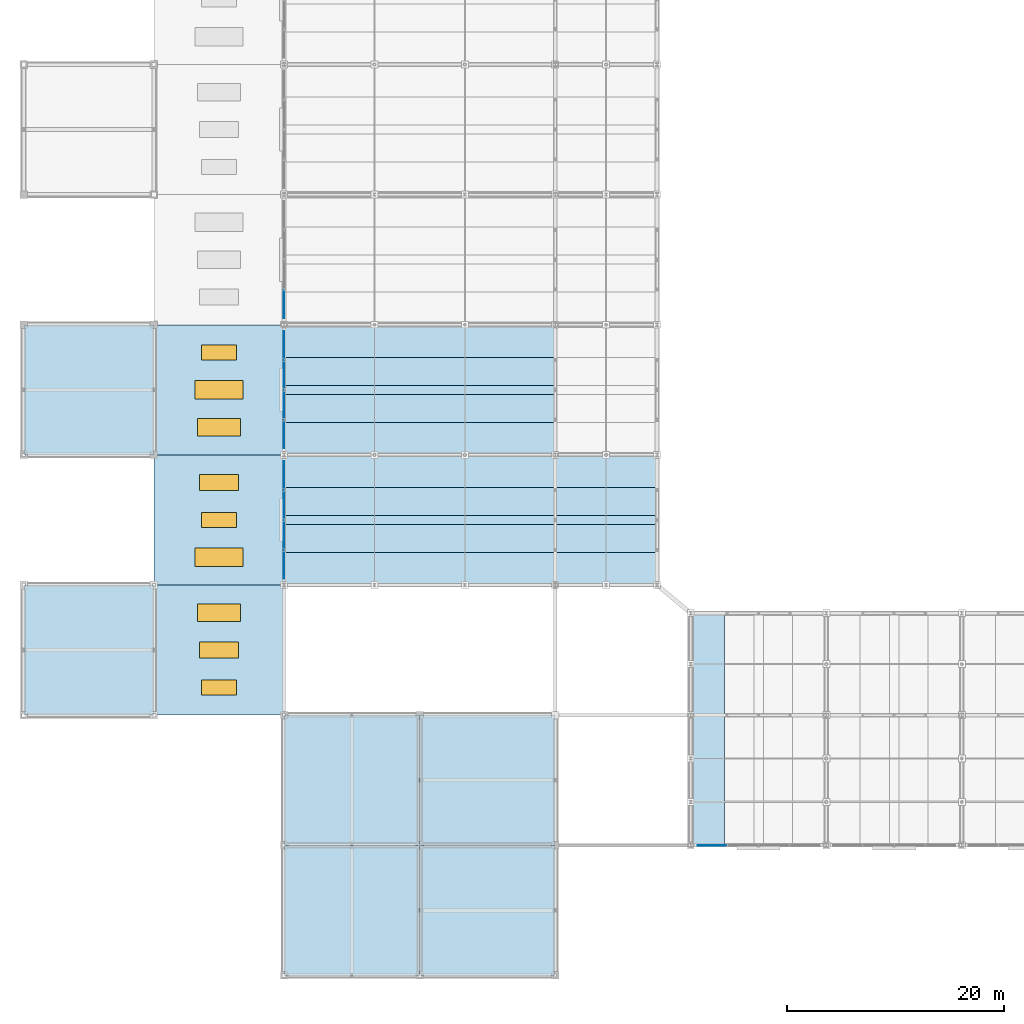
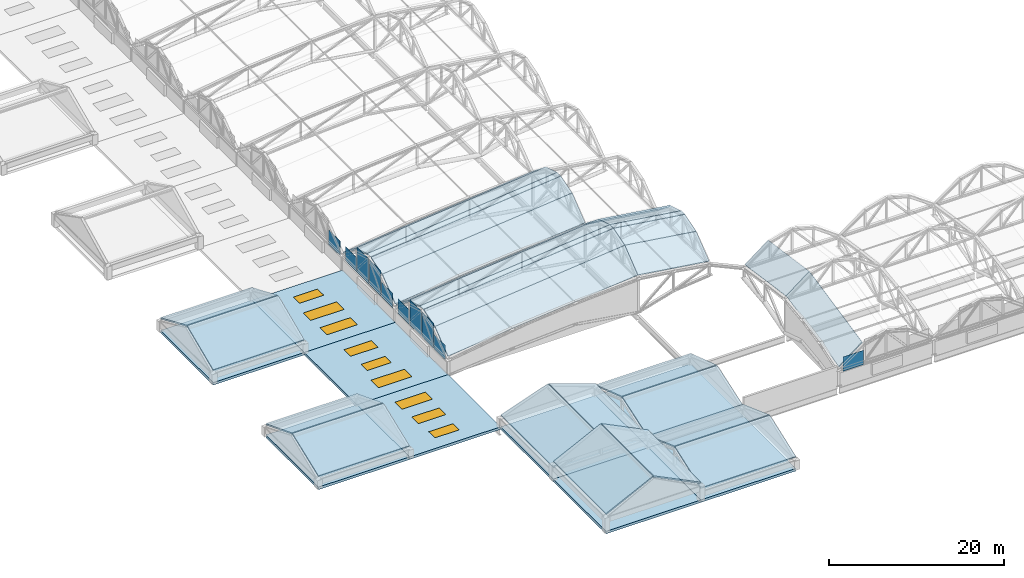
"""IFC4 building model written with IfcOpenShell, lengths in metres."""

from ifc_helpers import new_model, si_unit, direction, frame, origin, origin_2d, place, context, subcontext, project, spatial, polyline, rectangle, outline, extrude, material, layer, layer_set, type_object, element, fill, save


model = new_model("IFC4")

# Units and contexts
model_context = context("Model", 3, precision=1e-05, world=origin(), true_north=direction((0.0, 1.0)))
body_context = subcontext(model_context, "Body", "Model", "MODEL_VIEW")
ifc_project = project(units=[si_unit("LENGTHUNIT", "METRE"), si_unit("AREAUNIT", "SQUARE_METRE"), si_unit("VOLUMEUNIT", "CUBIC_METRE"), si_unit("PLANEANGLEUNIT", "RADIAN"), si_unit("MASSUNIT", "GRAM", prefix="KILO")], contexts=[model_context])

# Site, building, storey
site_placement = place(None, origin())
site = spatial("IfcSite", under=ifc_project, at=site_placement, CompositionType="ELEMENT")
building_placement = place(site_placement, origin())
building = spatial("IfcBuilding", under=site, at=building_placement, Name="Kazenohara Klinker Stadium", CompositionType="ELEMENT")
storey_1_placement = place(building_placement, frame((0.0, 0.0, 31.199951171875)))
storey_1 = spatial("IfcBuildingStorey", under=building, at=storey_1_placement, Name="RF", CompositionType="ELEMENT", Elevation=31.199951171875)

# Plates
ifc_material_1 = material(Name="Low-e laminated triple glazing", Category="glass")
ifc_layer_1 = layer(ifc_material_1, 0.0439453125)
ifc_layer_set_1 = layer_set([ifc_layer_1], Name="Low-e laminated triple glazing")
plate_type_1 = type_object("IfcPlateType", Name="PLT-GLZ-CLER", PredefinedType="USERDEFINED", material=ifc_layer_set_1)
plate_1_placement = place(storey_1_placement, frame((24.0, 49.889892578125, 1.650146484375), z_axis=(0.0, 0.0, 1.0), x_axis=(1.0, 0.0, 0.0)))
element("IfcPlate", 1, at=plate_1_placement, inside=storey_1, type_object=plate_type_1, Name="Arched barrel clerestory glazing panel CP02 W-01-Q1", ObjectType="CLERESTORY GLAZING", PredefinedType="USERDEFINED", context=body_context, shape_type="SweptSolid", body=[
    extrude(rectangle(XDim=0.0439453125, YDim=2.580078125, at=origin_2d()), origin(), (0.0, 0.0, 1.0), 2.0),
])
for number, where, z_axis, x_axis, name in (
    (2, (24.0, 52.6201171875, 1.650146484375), (0.0, 0.0, 1.0), (1.0, 0.0, 0.0), "Arched barrel clerestory glazing panel CP02 W-01-Q2"),
    (3, (24.0, 55.3798828125, 1.650146484375), (0.0, 0.0, 1.0), (1.0, 0.0, 0.0), "Arched barrel clerestory glazing panel CP02 W-01-Q3"),
):
    element("IfcPlate", number, at=place(storey_1_placement, frame(where, z_axis=z_axis, x_axis=x_axis)), inside=storey_1, type_object=plate_type_1, Name=name, ObjectType="CLERESTORY GLAZING", PredefinedType="USERDEFINED", context=body_context, shape_type="SweptSolid", body=[
        extrude(rectangle(XDim=0.0439453125, YDim=2.639892578125, at=origin_2d()), origin(), (0.0, 0.0, 1.0), 3.5),
    ])
for number, where, z_axis, x_axis, name in (
    (4, (24.0, 58.110107421875, 1.650146484375), (0.0, 0.0, 1.0), (1.0, 0.0, 0.0), "Arched barrel clerestory glazing panel CP02 W-01-Q4"),
    (5, (24.0, 61.889892578125, 1.650146484375), (0.0, 0.0, 1.0), (1.0, 0.0, 0.0), "Arched barrel clerestory glazing panel CP02 W-02-Q1"),
):
    element("IfcPlate", number, at=place(storey_1_placement, frame(where, z_axis=z_axis, x_axis=x_axis)), inside=storey_1, type_object=plate_type_1, Name=name, ObjectType="CLERESTORY GLAZING", PredefinedType="USERDEFINED", context=body_context, shape_type="SweptSolid", body=[
        extrude(rectangle(XDim=0.0439453125, YDim=2.580078125, at=origin_2d()), origin(), (0.0, 0.0, 1.0), 2.0),
    ])
for number, where, z_axis, x_axis, name in (
    (6, (24.0, 64.6201171875, 1.650146484375), (0.0, 0.0, 1.0), (1.0, 0.0, 0.0), "Arched barrel clerestory glazing panel CP02 W-02-Q2"),
    (7, (24.0, 67.3798828125, 1.650146484375), (0.0, 0.0, 1.0), (1.0, 0.0, 0.0), "Arched barrel clerestory glazing panel CP02 W-02-Q3"),
):
    element("IfcPlate", number, at=place(storey_1_placement, frame(where, z_axis=z_axis, x_axis=x_axis)), inside=storey_1, type_object=plate_type_1, Name=name, ObjectType="CLERESTORY GLAZING", PredefinedType="USERDEFINED", context=body_context, shape_type="SweptSolid", body=[
        extrude(rectangle(XDim=0.0439453125, YDim=2.639892578125, at=origin_2d()), origin(), (0.0, 0.0, 1.0), 3.5),
    ])
for number, where, z_axis, x_axis, name in (
    (8, (24.0, 70.110107421875, 1.650146484375), (0.0, 0.0, 1.0), (1.0, 0.0, 0.0), "Arched barrel clerestory glazing panel CP02 W-02-Q4"),
    (9, (24.0, 73.889892578125, 1.650146484375), (0.0, 0.0, 1.0), (1.0, 0.0, 0.0), "Arched barrel clerestory glazing panel CP02 W-03-Q1"),
):
    element("IfcPlate", number, at=place(storey_1_placement, frame(where, z_axis=z_axis, x_axis=x_axis)), inside=storey_1, type_object=plate_type_1, Name=name, ObjectType="CLERESTORY GLAZING", PredefinedType="USERDEFINED", context=body_context, shape_type="SweptSolid", body=[
        extrude(rectangle(XDim=0.0439453125, YDim=2.580078125, at=origin_2d()), origin(), (0.0, 0.0, 1.0), 2.0),
    ])
plate_2_placement = place(storey_1_placement, frame((63.46875, 24.0, 1.650146484375), z_axis=(0.0, 0.0, 1.0), x_axis=(1.0, 0.0, 0.0)))
element("IfcPlate", 10, at=plate_2_placement, inside=storey_1, type_object=plate_type_1, Name="Arched barrel clerestory glazing panel CP02 S-01-Q1", ObjectType="CLERESTORY GLAZING", PredefinedType="USERDEFINED", context=body_context, shape_type="SweptSolid", body=[
    extrude(rectangle(XDim=2.6875, YDim=0.0439453125, at=origin_2d()), origin(), (0.0, 0.0, 1.0), 2.0),
])
ifc_material_2 = material(Name="Low-e laminated skylight triple glazing", Category="glass")
ifc_layer_2 = layer(ifc_material_2, 0.048095703125)
ifc_layer_set_2 = layer_set([ifc_layer_2], Name="Low-e laminated skylight triple glazing")
plate_type_2 = type_object("IfcPlateType", Name="PLT-GLZ-VALLEY", PredefinedType="USERDEFINED", material=ifc_layer_set_2)
plate_3_placement = place(storey_1_placement, frame((24.0, 53.580078125, 5.670166015625), z_axis=(-0.101465808577, 0.0, 0.994839027024), x_axis=(0.994839027024, 0.0, 0.101465808577)))
element("IfcPlate", 11, at=plate_3_placement, inside=storey_1, type_object=plate_type_2, Name="Barrel-shell valley skylight glazing joint SKG1 W-01-OUT", ObjectType="SKYLIGHT GLAZING", PredefinedType="USERDEFINED", context=body_context, shape_type="SweptSolid", body=[
    extrude(outline(polyline([(0.0, 0.0), (25.129693669927555, 0.0), (25.129693669927555, 0.8398437499999999), (0.0, 0.8398437499999999), (0.0, 0.0)])), origin(), (0.0, 0.0, -1.0), 0.048095703125),
])
plate_4_placement = place(storey_1_placement, frame((49.0, 53.580078125, 8.219970703125), z_axis=(0.142144768244, 0.0, 0.989845879347), x_axis=(0.989845879347, 0.0, -0.142144768244)))
element("IfcPlate", 12, at=plate_4_placement, inside=storey_1, type_object=plate_type_2, Name="Barrel-shell valley skylight glazing joint SKG1 W-01-IN", ObjectType="SKYLIGHT GLAZING", PredefinedType="USERDEFINED", context=body_context, shape_type="SweptSolid", body=[
    extrude(outline(polyline([(0.0, 0.0), (9.496329216369972, 0.0), (9.496329216369972, 0.83984375), (0.0, 0.83984375), (0.0, 0.0)])), origin(), (0.0, 0.0, -1.0), 0.048095703125),
])
plate_5_placement = place(storey_1_placement, frame((24.0, 65.580078125, 5.670166015625), z_axis=(-0.101465808577, 0.0, 0.994839027024), x_axis=(0.994839027024, 0.0, 0.101465808577)))
element("IfcPlate", 13, at=plate_5_placement, inside=storey_1, type_object=plate_type_2, Name="Barrel-shell valley skylight glazing joint SKG1 W-02-OUT", ObjectType="SKYLIGHT GLAZING", PredefinedType="USERDEFINED", context=body_context, shape_type="SweptSolid", body=[
    extrude(outline(polyline([(0.0, 0.0), (25.129693669927555, 0.0), (25.129693669927555, 0.8398437499999999), (0.0, 0.8398437499999999), (0.0, 0.0)])), origin(), (0.0, 0.0, -1.0), 0.048095703125),
])

# Slabs
ifc_material_3 = material(Name="Steel S355", Category="steel")
ifc_layer_3 = layer(ifc_material_3, 0.18994140625)
ifc_layer_set_3 = layer_set([ifc_layer_3], Name="Steel S355")
slab_type_1 = type_object("IfcSlabType", Name="SLB-ROOF-190", PredefinedType="ROOF", material=ifc_layer_set_3)
for number, where, z_axis, x_axis, name in (
    (14, (24.0, 12.0, 2.469970703125), (-0.441703727171, 0.0, 0.897160976304), (0.897160976304, 0.0, 0.441703727171), "Pitched turret crown roof slab RS03 GT2-SW-A"),
    (15, (30.304931640625, 12.0, 5.52001953125), (0.441703727171, 0.0, 0.897160976304), (0.897160976304, 0.0, -0.441703727171), "Pitched turret crown roof slab RS03 GT2-SW-B"),
):
    element("IfcSlab", number, at=place(storey_1_placement, frame(where, z_axis=z_axis, x_axis=x_axis)), inside=storey_1, type_object=slab_type_1, Name=name, PredefinedType="ROOF", context=body_context, shape_type="SweptSolid", body=[
        extrude(outline(polyline([(0.0, 0.0), (6.905191513004975, 0.0), (6.905191513004975, 12.0), (0.0, 12.0), (0.0, 0.0)])), origin(), (0.0, 0.0, -1.0), 0.18994140625),
    ])
for number, where, z_axis, x_axis, name in (
    (16, (36.5, 12.0, 1.670166015625), (0.0, -0.340074319183, 0.940398563074), (1.0, 0.0, 0.0), "Pitched turret crown roof slab RS03 GT2-SE-A"),
    (17, (36.5, 18.054931640625, 3.820068359375), (0.0, 0.340074319183, 0.940398563074), (1.0, 0.0, 0.0), "Pitched turret crown roof slab RS03 GT2-SE-B"),
):
    element("IfcSlab", number, at=place(storey_1_placement, frame(where, z_axis=z_axis, x_axis=x_axis)), inside=storey_1, type_object=slab_type_1, Name=name, PredefinedType="ROOF", context=body_context, shape_type="SweptSolid", body=[
        extrude(outline(polyline([(0.0, 0.0), (12.5, 0.0), (12.5, 6.321860318395489), (0.0, 6.321860318395489), (0.0, 0.0)])), origin(), (0.0, 0.0, -1.0), 0.18994140625),
    ])
for number, where, z_axis, x_axis, name in (
    (18, (24.0, 24.0, 1.670166015625), (-0.327853404288, 0.0, 0.944728609335), (0.944728609335, 0.0, 0.327853404288), "Pitched turret crown roof slab RS03 GT2-NW-A"),
    (19, (30.304931640625, 24.0, 3.820068359375), (0.327853404288, 0.0, 0.944728609335), (0.944728609335, 0.0, -0.327853404288), "Pitched turret crown roof slab RS03 GT2-NW-B"),
):
    element("IfcSlab", number, at=place(storey_1_placement, frame(where, z_axis=z_axis, x_axis=x_axis)), inside=storey_1, type_object=slab_type_1, Name=name, PredefinedType="ROOF", context=body_context, shape_type="SweptSolid", body=[
        extrude(outline(polyline([(0.0, 0.0), (6.557511118175173, 0.0), (6.557511118175173, 12.0), (0.0, 12.0), (0.0, 0.0)])), origin(), (0.0, 0.0, -1.0), 0.18994140625),
    ])
for number, where, z_axis, x_axis, name in (
    (20, (36.5, 24.0, 1.469970703125), (0.0, -0.31885382794, 0.947803901874), (1.0, 0.0, 0.0), "Pitched turret crown roof slab RS03 GT2-NE-A"),
    (21, (36.5, 30.054931640625, 3.469970703125), (0.0, 0.31885382794, 0.947803901874), (1.0, 0.0, 0.0), "Pitched turret crown roof slab RS03 GT2-NE-B"),
):
    element("IfcSlab", number, at=place(storey_1_placement, frame(where, z_axis=z_axis, x_axis=x_axis)), inside=storey_1, type_object=slab_type_1, Name=name, PredefinedType="ROOF", context=body_context, shape_type="SweptSolid", body=[
        extrude(outline(polyline([(0.0, 0.0), (12.5, 0.0), (12.5, 6.272466643804632), (0.0, 6.272466643804632), (0.0, 0.0)])), origin(), (0.0, 0.0, -1.0), 0.18994140625),
    ])
for number, where, z_axis, x_axis, name in (
    (22, (0.0, 36.0, 1.570068359375), (0.0, -0.360821106656, 0.932635045981), (1.0, 0.0, 0.0), "Pitched turret crown roof slab RS03 WBST-03-A"),
    (23, (0.0, 42.054931640625, 3.8701171875), (0.0, 0.360821106656, 0.932635045981), (1.0, 0.0, 0.0), "Pitched turret crown roof slab RS03 WBST-03-B"),
):
    element("IfcSlab", number, at=place(storey_1_placement, frame(where, z_axis=z_axis, x_axis=x_axis)), inside=storey_1, type_object=slab_type_1, Name=name, PredefinedType="ROOF", context=body_context, shape_type="SweptSolid", body=[
        extrude(outline(polyline([(0.0, 0.0), (12.0, 0.0), (12.0, 6.37448526623138), (0.0, 6.37448526623138), (0.0, 0.0)])), origin(), (0.0, 0.0, -1.0), 0.18994140625),
    ])
for number, where, z_axis, x_axis, name in (
    (24, (0.0, 60.0, 1.77001953125), (0.0, -0.394201684587, 0.919023956091), (1.0, 0.0, 0.0), "Pitched turret crown roof slab RS03 WBST-05-A"),
    (25, (0.0, 66.054931640625, 4.320068359375), (0.0, 0.394201684587, 0.919023956091), (1.0, 0.0, 0.0), "Pitched turret crown roof slab RS03 WBST-05-B"),
):
    element("IfcSlab", number, at=place(storey_1_placement, frame(where, z_axis=z_axis, x_axis=x_axis)), inside=storey_1, type_object=slab_type_1, Name=name, PredefinedType="ROOF", context=body_context, shape_type="SweptSolid", body=[
        extrude(outline(polyline([(0.0, 0.0), (12.0, 0.0), (12.0, 6.468893786688991), (0.0, 6.468893786688991), (0.0, 0.0)])), origin(), (0.0, 0.0, -1.0), 0.18994140625),
    ])
slab_1_placement = place(storey_1_placement, frame((24.0, 48.06005859375, 2.51806640625), z_axis=(-0.079397405078, -0.622738677702, 0.778391027287), x_axis=(0.994838046303, 0.0, 0.101475423766)))
element("IfcSlab", 26, at=slab_1_placement, inside=storey_1, type_object=slab_type_1, Name="Scalloped barrel-arch canopy slab W-01 outer strip 1", PredefinedType="ROOF", context=body_context, shape_type="SweptSolid", body=[
    extrude(outline(polyline([(0.0, 0.0), (25.129718443027205, 0.0), (25.368393792773563, 3.757450256115897), (0.2386753497463593, 3.757450256115897), (0.0, 0.0)])), origin(), (0.0, 0.0, -1.0), 0.18994140625),
])
slab_2_placement = place(storey_1_placement, frame((49.0, 48.06005859375, 5.068115234375), z_axis=(0.111454741468, -0.620818608848, 0.775991040871), x_axis=(0.989842261755, 0.0, -0.1421699576)))
element("IfcSlab", 27, at=slab_2_placement, inside=storey_1, type_object=slab_type_1, Name="Scalloped barrel-arch canopy slab W-01 inner strip 1", PredefinedType="ROOF", context=body_context, shape_type="SweptSolid", body=[
    extrude(outline(polyline([(0.0, 0.0), (9.496363922757409, 0.0), (9.16197296291469, 3.750144135328325), (-0.33439095984271777, 3.750144135328325), (0.0, 0.0)])), origin(), (0.0, 0.0, -1.0), 0.18994140625),
])
slab_3_placement = place(storey_1_placement, frame((24.0, 51.0, 4.8701171875), z_axis=(-0.097078068979, -0.291039160051, 0.951773111535), x_axis=(0.994838495138, 1.345573e-06, 0.101471023396)))
element("IfcSlab", 28, at=slab_3_placement, inside=storey_1, type_object=slab_type_1, Name="Scalloped barrel-arch canopy slab W-01 outer strip 2", PredefinedType="ROOF", context=body_context, shape_type="SweptSolid", body=[
    extrude(outline(polyline([(0.0, 0.0), (25.129718442758627, 0.0), (25.210878962890696, 2.7342974924050907), (0.08118529333114288, 2.734368180107577), (0.0, 0.0)])), origin(), (0.0, 0.0, -1.0), 0.18994140625),
])
slab_4_placement = place(storey_1_placement, frame((49.0, 51.0, 7.420166015625), z_axis=(0.136061259308, -0.289700944037, 0.947396800047), x_axis=(0.989843918815, -3.528048e-06, -0.142158419982)))
element("IfcSlab", 29, at=slab_4_placement, inside=storey_1, type_object=slab_type_1, Name="Scalloped barrel-arch canopy slab W-01 inner strip 2", PredefinedType="ROOF", context=body_context, shape_type="SweptSolid", body=[
    extrude(outline(polyline([(0.0, 0.0), (9.49636392205321, 0.0), (9.382621015480932, 2.733207446859171), (-0.11370819992677195, 2.733137437523795), (0.0, 0.0)])), origin(), (0.0, 0.0, -1.0), 0.18994140625),
])
slab_5_placement = place(storey_1_placement, frame((24.0, 54.384033203125, 5.670166015625), z_axis=(-0.097078068979, 0.291039160051, 0.951773111535), x_axis=(0.994838578209, 1.345574e-06, 0.101470208953)))
element("IfcSlab", 30, at=slab_5_placement, inside=storey_1, type_object=slab_type_1, Name="Scalloped barrel-arch canopy slab W-01 outer strip 3", PredefinedType="ROOF", context=body_context, shape_type="SweptSolid", body=[
    extrude(outline(polyline([(0.0, 0.0), (25.12969366965898, -1.1102230246251565e-16), (25.04854084087477, 2.734297720691951), (-0.08117760178444054, 2.734368408464122), (0.0, 0.0)])), origin(), (0.0, 0.0, -1.0), 0.18994140625),
])
slab_6_placement = place(storey_1_placement, frame((49.0, 54.384033203125, 8.219970703125), z_axis=(0.136061259308, 0.289700944037, 0.947396800047), x_axis=(0.989844222428, -3.528061e-06, -0.142156305924)))
element("IfcSlab", 31, at=slab_6_placement, inside=storey_1, type_object=slab_type_1, Name="Scalloped barrel-arch canopy slab W-01 inner strip 3", PredefinedType="ROOF", context=body_context, shape_type="SweptSolid", body=[
    extrude(outline(polyline([(0.0, 0.0), (9.496329215665769, 1.1102230246251565e-16), (9.61005197233993, 2.7332082853263064), (0.11368805054478547, 2.7331382757350666), (0.0, 0.0)])), origin(), (0.0, 0.0, -1.0), 0.18994140625),
])
slab_7_placement = place(storey_1_placement, frame((24.0, 57.0, 4.8701171875), z_axis=(-0.079397405078, 0.622738677702, 0.778391027287), x_axis=(0.994838046303, 0.0, 0.101475423766)))
element("IfcSlab", 32, at=slab_7_placement, inside=storey_1, type_object=slab_type_1, Name="Scalloped barrel-arch canopy slab W-01 outer strip 4", PredefinedType="ROOF", context=body_context, shape_type="SweptSolid", body=[
    extrude(outline(polyline([(0.0, 0.0), (25.129718443027205, 0.0), (24.891043093280846, 3.7574502561158964), (-0.2386753497463593, 3.757450256115897), (0.0, 0.0)])), origin(), (0.0, 0.0, -1.0), 0.18994140625),
])
slab_8_placement = place(storey_1_placement, frame((49.0, 57.0, 7.420166015625), z_axis=(0.111454741468, 0.620818608848, 0.775991040871), x_axis=(0.989842261755, 0.0, -0.1421699576)))
element("IfcSlab", 33, at=slab_8_placement, inside=storey_1, type_object=slab_type_1, Name="Scalloped barrel-arch canopy slab W-01 inner strip 4", PredefinedType="ROOF", context=body_context, shape_type="SweptSolid", body=[
    extrude(outline(polyline([(0.0, 0.0), (9.496363922757409, 0.0), (9.830754882600127, 3.750144135328325), (0.33439095984271777, 3.750144135328325), (0.0, 0.0)])), origin(), (0.0, 0.0, -1.0), 0.18994140625),
])
slab_9_placement = place(storey_1_placement, frame((24.0, 60.06005859375, 2.51806640625), z_axis=(-0.079397405078, -0.622738677702, 0.778391027287), x_axis=(0.994838046303, 0.0, 0.101475423766)))
element("IfcSlab", 34, at=slab_9_placement, inside=storey_1, type_object=slab_type_1, Name="Scalloped barrel-arch canopy slab W-02 outer strip 1", PredefinedType="ROOF", context=body_context, shape_type="SweptSolid", body=[
    extrude(outline(polyline([(0.0, 0.0), (25.129718443027205, 0.0), (25.368393792773563, 3.757450256115897), (0.2386753497463593, 3.757450256115897), (0.0, 0.0)])), origin(), (0.0, 0.0, -1.0), 0.18994140625),
])
slab_10_placement = place(storey_1_placement, frame((24.0, 63.0, 4.8701171875), z_axis=(-0.097078068979, -0.291039160051, 0.951773111535), x_axis=(0.994838495138, 1.345573e-06, 0.101471023396)))
element("IfcSlab", 35, at=slab_10_placement, inside=storey_1, type_object=slab_type_1, Name="Scalloped barrel-arch canopy slab W-02 outer strip 2", PredefinedType="ROOF", context=body_context, shape_type="SweptSolid", body=[
    extrude(outline(polyline([(0.0, 0.0), (25.129718442758627, 0.0), (25.210878962890696, 2.7342974924050907), (0.08118529333114288, 2.734368180107577), (0.0, 0.0)])), origin(), (0.0, 0.0, -1.0), 0.18994140625),
])
slab_11_placement = place(storey_1_placement, frame((24.0, 66.384033203125, 5.670166015625), z_axis=(-0.097078068979, 0.291039160051, 0.951773111535), x_axis=(0.994838578209, 1.345574e-06, 0.101470208953)))
element("IfcSlab", 36, at=slab_11_placement, inside=storey_1, type_object=slab_type_1, Name="Scalloped barrel-arch canopy slab W-02 outer strip 3", PredefinedType="ROOF", context=body_context, shape_type="SweptSolid", body=[
    extrude(outline(polyline([(0.0, 0.0), (25.12969366965898, -1.1102230246251565e-16), (25.04854084087477, 2.734297720691951), (-0.08117760178444054, 2.734368408464122), (0.0, 0.0)])), origin(), (0.0, 0.0, -1.0), 0.18994140625),
])
slab_12_placement = place(storey_1_placement, frame((24.0, 69.0, 4.8701171875), z_axis=(-0.079397405078, 0.622738677702, 0.778391027287), x_axis=(0.994838046303, 0.0, 0.101475423766)))
element("IfcSlab", 37, at=slab_12_placement, inside=storey_1, type_object=slab_type_1, Name="Scalloped barrel-arch canopy slab W-02 outer strip 4", PredefinedType="ROOF", context=body_context, shape_type="SweptSolid", body=[
    extrude(outline(polyline([(0.0, 0.0), (25.129718443027205, 0.0), (24.891043093280846, 3.7574502561158964), (-0.2386753497463593, 3.757450256115897), (0.0, 0.0)])), origin(), (0.0, 0.0, -1.0), 0.18994140625),
])
slab_13_placement = place(storey_1_placement, frame((61.5625, 24.0, 2.51806640625), z_axis=(-0.600635128848, -0.166190954627, 0.782060105487), x_axis=(0.0, 0.978158041674, 0.207862563991)))
element("IfcSlab", 38, at=slab_13_placement, inside=storey_1, type_object=slab_type_1, Name="Scalloped barrel-arch canopy slab S-01 outer strip 1", PredefinedType="ROOF", context=body_context, shape_type="SweptSolid", body=[
    extrude(outline(polyline([(0.0, 0.0), (12.267956187801687, 0.0), (12.75685949382921, -3.8304076395253412), (0.48890330602752313, -3.8304076395253412), (0.0, 0.0)])), origin(), (0.0, 0.0, -1.0), 0.18994140625),
])
slab_14_placement = place(storey_1_placement, frame((61.5625, 36.0, 5.068115234375), z_axis=(-0.605191890352, 0.113178607114, 0.787993260595), x_axis=(0.0, 0.989842261755, -0.1421699576)))
element("IfcSlab", 39, at=slab_14_placement, inside=storey_1, type_object=slab_type_1, Name="Scalloped barrel-arch canopy slab S-01 inner strip 1", PredefinedType="ROOF", context=body_context, shape_type="SweptSolid", body=[
    extrude(outline(polyline([(0.0, 0.0), (9.496363922757409, -1.1102230246251565e-16), (9.16197296291469, -3.846976970759534), (-0.33439095984271777, -3.846976970759534), (0.0, 0.0)])), origin(), (0.0, 0.0, -1.0), 0.18994140625),
])
ifc_material_4 = material(Name="Concrete C40/50", Category="concrete")
ifc_layer_4 = layer(ifc_material_4, 0.360107421875)
ifc_layer_set_4 = layer_set([ifc_layer_4], Name="Concrete C40/50")
slab_type_2 = type_object("IfcSlabType", Name="SLB-ROOF-360", PredefinedType="ROOF", material=ifc_layer_set_4)
slab_15_placement = place(storey_1_placement, frame((0.0, 0.0, -0.35986328125)))
element("IfcSlab", 40, at=slab_15_placement, inside=storey_1, type_object=slab_type_2, Name="Main roof deck slab RS01 RF 1/D", PredefinedType="ROOF", context=body_context, shape_type="SweptSolid", body=[
    extrude(outline(polyline([(0.0, 36.0), (12.0, 36.0), (12.0, 48.0), (0.0, 48.0), (0.0, 36.0)])), origin(), (0.0, 0.0, 1.0), 0.35986328125),
])
slab_16_placement = place(storey_1_placement, frame((0.0, 0.0, -0.35986328125)))
element("IfcSlab", 41, at=slab_16_placement, inside=storey_1, type_object=slab_type_2, Name="Main roof deck slab RS01 RF 1/F", PredefinedType="ROOF", context=body_context, shape_type="SweptSolid", body=[
    extrude(outline(polyline([(0.0, 60.0), (12.0, 60.0), (12.0, 72.0), (0.0, 72.0), (0.0, 60.0)])), origin(), (0.0, 0.0, 1.0), 0.35986328125),
])

# Slab, openings
slab_17_placement = place(storey_1_placement, frame((0.0, 0.0, -0.35986328125)))
slab_17 = element("IfcSlab", 42, at=slab_17_placement, inside=storey_1, type_object=slab_type_2, Name="Main roof deck slab RS01 RF 2/D", PredefinedType="ROOF", context=body_context, shape_type="SweptSolid", body=[
    extrude(outline(polyline([(12.0, 36.0), (24.0, 36.0), (24.0, 48.0), (12.0, 48.0), (12.0, 36.0)])), origin(), (0.0, 0.0, 1.0), 0.35986328125),
])
opening_1_placement = place(slab_17_placement, frame((18.0, 38.550048828125, 0.0)))
opening_1 = element("IfcOpeningElement", 43, at=opening_1_placement, cuts=slab_17, Name="Opening SK01", PredefinedType="OPENING", context=body_context, shape_type="SweptSolid", body=[
    extrude(rectangle(XDim=3.199951171875, YDim=1.39990234375, at=origin_2d()), origin(), (0.0, 0.0, 1.0), 0.35986328125),
])
opening_2_placement = place(slab_17_placement, frame((18.0, 42.0, 0.0)))
opening_2 = element("IfcOpeningElement", 44, at=opening_2_placement, cuts=slab_17, Name="Opening SK02", PredefinedType="OPENING", context=body_context, shape_type="SweptSolid", body=[
    extrude(rectangle(XDim=3.60009765625, YDim=1.5, at=origin_2d()), origin(), (0.0, 0.0, 1.0), 0.35986328125),
])
opening_3_placement = place(slab_17_placement, frame((18.0, 45.449951171875, 0.0)))
opening_3 = element("IfcOpeningElement", 45, at=opening_3_placement, cuts=slab_17, Name="Opening SK03", PredefinedType="OPENING", context=body_context, shape_type="SweptSolid", body=[
    extrude(rectangle(XDim=4.0, YDim=1.60009765625, at=origin_2d()), origin(), (0.0, 0.0, 1.0), 0.35986328125),
])

# Storey
storey_2_placement = place(building_placement, frame((0.0, 0.0, 25.800048828125)))
storey_2 = spatial("IfcBuildingStorey", under=building, at=storey_2_placement, Name="L05", CompositionType="ELEMENT", Elevation=25.800048828125)

# Window
ifc_material_5 = material(Name="Thermally broken aluminium skylight glazing", Category="aluminium")
window_type_1 = type_object("IfcWindowType", Name="SKY-ARCH-01", PartitioningType="SINGLE_PANEL", PredefinedType="SKYLIGHT", material=ifc_material_5)
window_1_placement = place(opening_1_placement, frame((0.0, 0.0, 0.309814453125)))
window_1 = element("IfcWindow", 46, at=window_1_placement, inside=storey_2, type_object=window_type_1, Name="Media and press gallery roof skylight SK01-01", OverallHeight=1.39990234375, OverallWidth=3.199951171875, PartitioningType="SINGLE_PANEL", PredefinedType="SKYLIGHT", context=body_context, shape_type="SweptSolid", body=[
    extrude(rectangle(XDim=3.199951171875, YDim=1.39990234375, at=origin_2d()), origin(), (0.0, 0.0, 1.0), 0.050048828125),
])

fill(opening_1, window_1)

window_type_2 = type_object("IfcWindowType", Name="SKY-ARCH-02", PartitioningType="SINGLE_PANEL", PredefinedType="SKYLIGHT", material=ifc_material_5)
window_2_placement = place(opening_2_placement, frame((0.0, 0.0, 0.309814453125)))
window_2 = element("IfcWindow", 47, at=window_2_placement, inside=storey_2, type_object=window_type_2, Name="Media and press gallery roof skylight SK02-02", OverallHeight=1.5, OverallWidth=3.60009765625, PartitioningType="SINGLE_PANEL", PredefinedType="SKYLIGHT", context=body_context, shape_type="SweptSolid", body=[
    extrude(rectangle(XDim=3.60009765625, YDim=1.5, at=origin_2d()), origin(), (0.0, 0.0, 1.0), 0.050048828125),
])

fill(opening_2, window_2)

window_type_3 = type_object("IfcWindowType", Name="SKY-ARCH-03", PartitioningType="SINGLE_PANEL", PredefinedType="SKYLIGHT", material=ifc_material_5)
window_3_placement = place(opening_3_placement, frame((0.0, 0.0, 0.309814453125)))
window_3 = element("IfcWindow", 48, at=window_3_placement, inside=storey_2, type_object=window_type_3, Name="Media and press gallery roof skylight SK03-03", OverallHeight=1.60009765625, OverallWidth=4.0, PartitioningType="SINGLE_PANEL", PredefinedType="SKYLIGHT", context=body_context, shape_type="SweptSolid", body=[
    extrude(rectangle(XDim=4.0, YDim=1.60009765625, at=origin_2d()), origin(), (0.0, 0.0, 1.0), 0.050048828125),
])

fill(opening_3, window_3)

# Slab, openings, windows
slab_18_placement = place(storey_1_placement, frame((0.0, 0.0, -0.35986328125)))
slab_18 = element("IfcSlab", 49, at=slab_18_placement, inside=storey_1, type_object=slab_type_2, Name="Main roof deck slab RS01 RF 2/E", PredefinedType="ROOF", context=body_context, shape_type="SweptSolid", body=[
    extrude(outline(polyline([(12.0, 48.0), (24.0, 48.0), (24.0, 60.0), (12.0, 60.0), (12.0, 48.0)])), origin(), (0.0, 0.0, 1.0), 0.35986328125),
])
opening_4_placement = place(slab_18_placement, frame((18.0, 50.550048828125, 0.0)))
opening_4 = element("IfcOpeningElement", 50, at=opening_4_placement, cuts=slab_18, Name="Opening SK04", PredefinedType="OPENING", context=body_context, shape_type="SweptSolid", body=[
    extrude(rectangle(XDim=4.39990234375, YDim=1.699951171875, at=origin_2d()), origin(), (0.0, 0.0, 1.0), 0.35986328125),
])
opening_5_placement = place(slab_18_placement, frame((18.0, 54.0, 0.0)))
opening_5 = element("IfcOpeningElement", 51, at=opening_5_placement, cuts=slab_18, Name="Opening SK01", PredefinedType="OPENING", context=body_context, shape_type="SweptSolid", body=[
    extrude(rectangle(XDim=3.199951171875, YDim=1.39990234375, at=origin_2d()), origin(), (0.0, 0.0, 1.0), 0.35986328125),
])
opening_6_placement = place(slab_18_placement, frame((18.0, 57.449951171875, 0.0)))
opening_6 = element("IfcOpeningElement", 52, at=opening_6_placement, cuts=slab_18, Name="Opening SK02", PredefinedType="OPENING", context=body_context, shape_type="SweptSolid", body=[
    extrude(rectangle(XDim=3.60009765625, YDim=1.5, at=origin_2d()), origin(), (0.0, 0.0, 1.0), 0.35986328125),
])
window_4_placement = place(opening_5_placement, frame((0.0, 0.0, 0.309814453125)))
window_4 = element("IfcWindow", 53, at=window_4_placement, inside=storey_2, type_object=window_type_1, Name="Media and press gallery roof skylight SK01-05", OverallHeight=1.39990234375, OverallWidth=3.199951171875, PartitioningType="SINGLE_PANEL", PredefinedType="SKYLIGHT", context=body_context, shape_type="SweptSolid", body=[
    extrude(rectangle(XDim=3.199951171875, YDim=1.39990234375, at=origin_2d()), origin(), (0.0, 0.0, 1.0), 0.050048828125),
])
fill(opening_5, window_4)
window_5_placement = place(opening_6_placement, frame((0.0, 0.0, 0.309814453125)))
window_5 = element("IfcWindow", 54, at=window_5_placement, inside=storey_2, type_object=window_type_2, Name="Media and press gallery roof skylight SK02-06", OverallHeight=1.5, OverallWidth=3.60009765625, PartitioningType="SINGLE_PANEL", PredefinedType="SKYLIGHT", context=body_context, shape_type="SweptSolid", body=[
    extrude(rectangle(XDim=3.60009765625, YDim=1.5, at=origin_2d()), origin(), (0.0, 0.0, 1.0), 0.050048828125),
])
fill(opening_6, window_5)
window_type_4 = type_object("IfcWindowType", Name="SKY-ARCH-04", PartitioningType="SINGLE_PANEL", PredefinedType="SKYLIGHT", material=ifc_material_5)
window_6_placement = place(opening_4_placement, frame((0.0, 0.0, 0.309814453125)))
window_6 = element("IfcWindow", 55, at=window_6_placement, inside=storey_2, type_object=window_type_4, Name="Media and press gallery roof skylight SK04-04", OverallHeight=1.699951171875, OverallWidth=4.39990234375, PartitioningType="SINGLE_PANEL", PredefinedType="SKYLIGHT", context=body_context, shape_type="SweptSolid", body=[
    extrude(rectangle(XDim=4.39990234375, YDim=1.699951171875, at=origin_2d()), origin(), (0.0, 0.0, 1.0), 0.050048828125),
])
fill(opening_4, window_6)

slab_19_placement = place(storey_1_placement, frame((0.0, 0.0, -0.35986328125)))
slab_19 = element("IfcSlab", 56, at=slab_19_placement, inside=storey_1, type_object=slab_type_2, Name="Main roof deck slab RS01 RF 2/F", PredefinedType="ROOF", context=body_context, shape_type="SweptSolid", body=[
    extrude(outline(polyline([(12.0, 60.0), (24.0, 60.0), (24.0, 72.0), (12.0, 72.0), (12.0, 60.0)])), origin(), (0.0, 0.0, 1.0), 0.35986328125),
])
opening_7_placement = place(slab_19_placement, frame((18.0, 62.550048828125, 0.0)))
opening_7 = element("IfcOpeningElement", 57, at=opening_7_placement, cuts=slab_19, Name="Opening SK03", PredefinedType="OPENING", context=body_context, shape_type="SweptSolid", body=[
    extrude(rectangle(XDim=4.0, YDim=1.60009765625, at=origin_2d()), origin(), (0.0, 0.0, 1.0), 0.35986328125),
])
opening_8_placement = place(slab_19_placement, frame((18.0, 66.0, 0.0)))
opening_8 = element("IfcOpeningElement", 58, at=opening_8_placement, cuts=slab_19, Name="Opening SK04", PredefinedType="OPENING", context=body_context, shape_type="SweptSolid", body=[
    extrude(rectangle(XDim=4.39990234375, YDim=1.699951171875, at=origin_2d()), origin(), (0.0, 0.0, 1.0), 0.35986328125),
])
opening_9_placement = place(slab_19_placement, frame((18.0, 69.449951171875, 0.0)))
opening_9 = element("IfcOpeningElement", 59, at=opening_9_placement, cuts=slab_19, Name="Opening SK01", PredefinedType="OPENING", context=body_context, shape_type="SweptSolid", body=[
    extrude(rectangle(XDim=3.199951171875, YDim=1.39990234375, at=origin_2d()), origin(), (0.0, 0.0, 1.0), 0.35986328125),
])
window_7_placement = place(opening_9_placement, frame((0.0, 0.0, 0.309814453125)))
window_7 = element("IfcWindow", 60, at=window_7_placement, inside=storey_2, type_object=window_type_1, Name="Media and press gallery roof skylight SK01-09", OverallHeight=1.39990234375, OverallWidth=3.199951171875, PartitioningType="SINGLE_PANEL", PredefinedType="SKYLIGHT", context=body_context, shape_type="SweptSolid", body=[
    extrude(rectangle(XDim=3.199951171875, YDim=1.39990234375, at=origin_2d()), origin(), (0.0, 0.0, 1.0), 0.050048828125),
])
fill(opening_9, window_7)
window_8_placement = place(opening_7_placement, frame((0.0, 0.0, 0.309814453125)))
window_8 = element("IfcWindow", 61, at=window_8_placement, inside=storey_2, type_object=window_type_3, Name="Media and press gallery roof skylight SK03-07", OverallHeight=1.60009765625, OverallWidth=4.0, PartitioningType="SINGLE_PANEL", PredefinedType="SKYLIGHT", context=body_context, shape_type="SweptSolid", body=[
    extrude(rectangle(XDim=4.0, YDim=1.60009765625, at=origin_2d()), origin(), (0.0, 0.0, 1.0), 0.050048828125),
])
fill(opening_7, window_8)
window_9_placement = place(opening_8_placement, frame((0.0, 0.0, 0.309814453125)))
window_9 = element("IfcWindow", 62, at=window_9_placement, inside=storey_2, type_object=window_type_4, Name="Media and press gallery roof skylight SK04-08", OverallHeight=1.699951171875, OverallWidth=4.39990234375, PartitioningType="SINGLE_PANEL", PredefinedType="SKYLIGHT", context=body_context, shape_type="SweptSolid", body=[
    extrude(rectangle(XDim=4.39990234375, YDim=1.699951171875, at=origin_2d()), origin(), (0.0, 0.0, 1.0), 0.050048828125),
])
fill(opening_8, window_9)

# Slabs
slab_20_placement = place(storey_1_placement, frame((0.0, 0.0, -0.35986328125)))
element("IfcSlab", 63, at=slab_20_placement, inside=storey_1, type_object=slab_type_2, Name="Main roof deck slab RS01 RF 3/B", PredefinedType="ROOF", context=body_context, shape_type="SweptSolid", body=[
    extrude(outline(polyline([(24.0, 12.0), (36.5, 12.0), (36.5, 24.0), (24.0, 24.0), (24.0, 12.0)])), origin(), (0.0, 0.0, 1.0), 0.35986328125),
])
slab_21_placement = place(storey_1_placement, frame((0.0, 0.0, -0.35986328125)))
element("IfcSlab", 64, at=slab_21_placement, inside=storey_1, type_object=slab_type_2, Name="Main roof deck slab RS01 RF 3/C", PredefinedType="ROOF", context=body_context, shape_type="SweptSolid", body=[
    extrude(outline(polyline([(24.0, 24.0), (36.5, 24.0), (36.5, 36.0), (24.0, 36.0), (24.0, 24.0)])), origin(), (0.0, 0.0, 1.0), 0.35986328125),
])
slab_22_placement = place(storey_1_placement, frame((0.0, 0.0, -0.35986328125)))
element("IfcSlab", 65, at=slab_22_placement, inside=storey_1, type_object=slab_type_2, Name="Main roof deck slab RS01 RF 4/B", PredefinedType="ROOF", context=body_context, shape_type="SweptSolid", body=[
    extrude(outline(polyline([(36.5, 12.0), (49.0, 12.0), (49.0, 24.0), (36.5, 24.0), (36.5, 12.0)])), origin(), (0.0, 0.0, 1.0), 0.35986328125),
])
slab_23_placement = place(storey_1_placement, frame((0.0, 0.0, -0.35986328125)))
element("IfcSlab", 66, at=slab_23_placement, inside=storey_1, type_object=slab_type_2, Name="Main roof deck slab RS01 RF 4/C", PredefinedType="ROOF", context=body_context, shape_type="SweptSolid", body=[
    extrude(outline(polyline([(36.5, 24.0), (49.0, 24.0), (49.0, 36.0), (36.5, 36.0), (36.5, 24.0)])), origin(), (0.0, 0.0, 1.0), 0.35986328125),
])

save(model, "model.ifc")
